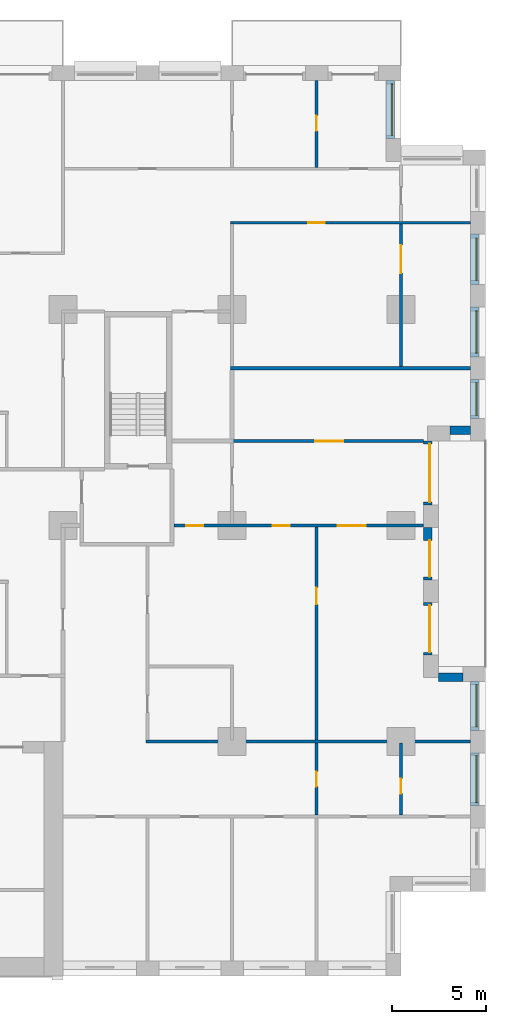
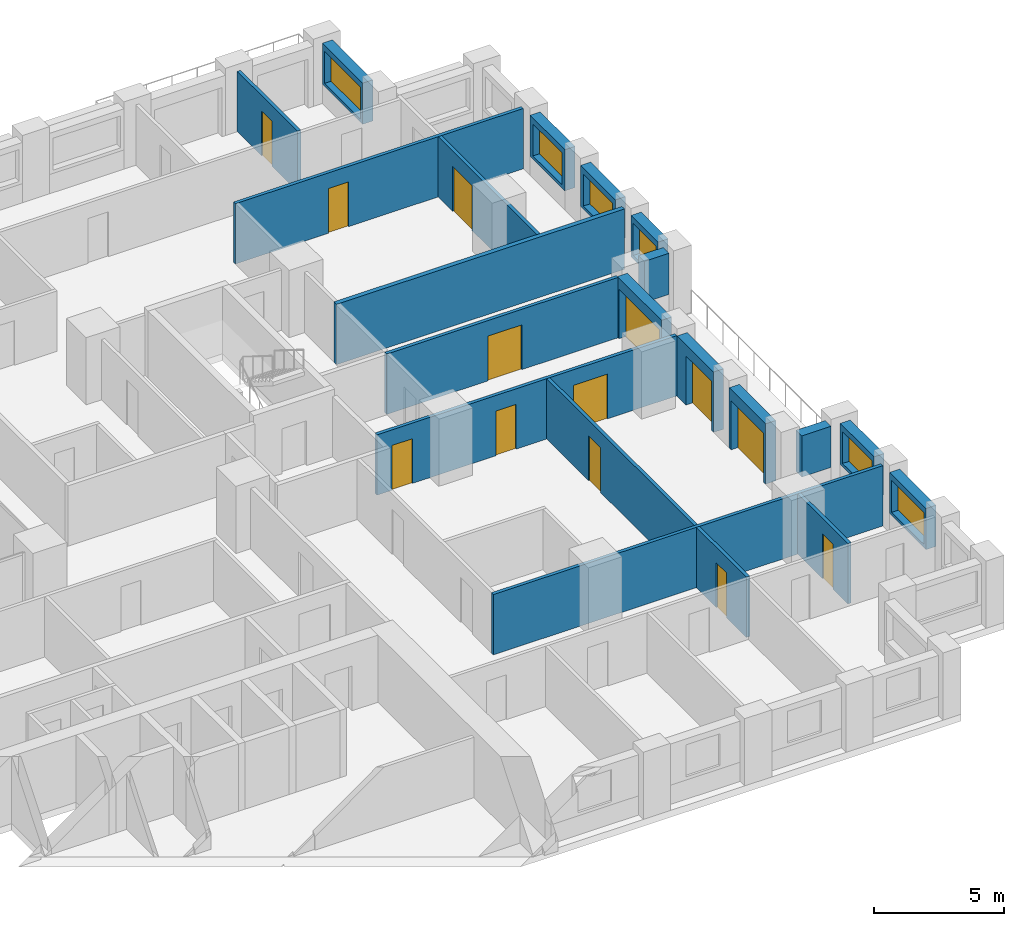
# One storey, part 16 of 19: 21 walls, 13 doors, 6 windows, 19 openings.
"""IFC4 building model written with IfcOpenShell, lengths in metres."""

import ifcopenshell
import ifcopenshell.guid

model = None  # the IFC model being written
_history = None  # IfcOwnerHistory: only IFC2X3 demands one
_inside = {}  # id of a spatial element -> (the spatial element, [elements in it])
_under = {}  # id of a project, library or spatial element -> (it, [spatial elements below it])
_declared = {}  # id of a project -> (the project, [libraries it declares])
_typed = {}  # id of a type object -> (the type object, [elements of that type])
_made_of = {}  # id of a material, layer set ... -> (it, [elements and type objects made of it])


def new_model(schema):
    """Start an empty IFC model of exactly this schema.

    Asked for "IFC4X3", IfcOpenShell would pick the latest addendum, in which some entities
    have other attributes; the version numbers below select the first issue.
    IFC2X3 requires an IfcOwnerHistory on every rooted entity: one is made here for all.
    """
    global model, _history
    if schema == "IFC4X3":
        model = ifcopenshell.file(schema_version=(4, 3, 0, 0))
    else:
        model = ifcopenshell.file(schema=schema)
    _inside.clear()
    _under.clear()
    _declared.clear()
    _typed.clear()
    _made_of.clear()
    _history = None
    if model.schema == "IFC2X3":
        org = make("IfcOrganization", Name="unknown")
        user = make(
            "IfcPersonAndOrganization",
            ThePerson=make("IfcPerson", FamilyName="unknown"),
            TheOrganization=org,
        )
        app = make(
            "IfcApplication",
            ApplicationDeveloper=org,
            Version="unknown",
            ApplicationFullName="unknown",
            ApplicationIdentifier="unknown",
        )
        _history = make(
            "IfcOwnerHistory",
            OwningUser=user,
            OwningApplication=app,
            ChangeAction="ADDED",
            CreationDate=0,
        )
    return model


def make(cls, **values):
    """One entity of the class cls with the attributes given. An attribute that is None is left unset."""
    return model.create_entity(
        cls, **{name: value for name, value in values.items() if value is not None}
    )


def rooted(cls, **values):
    """An entity with a GlobalId (a new one), such as an element, a storey or a relation."""
    return make(cls, GlobalId=ifcopenshell.guid.new(), OwnerHistory=_history, **values)


def si_unit(unit_type, name, prefix=None):
    """IfcSIUnit, for example si_unit("LENGTHUNIT", "METRE", prefix="MILLI")."""
    return make("IfcSIUnit", UnitType=unit_type, Prefix=prefix, Name=name)


def assignment(units):
    """IfcUnitAssignment: the units of a project."""
    return None if units is None else make("IfcUnitAssignment", Units=units)


def point(xyz):
    """IfcCartesianPoint."""
    return None if xyz is None else make("IfcCartesianPoint", Coordinates=xyz)


def direction(xyz):
    """IfcDirection."""
    return None if xyz is None else make("IfcDirection", DirectionRatios=xyz)


def frame(location, z_axis=None, x_axis=None):
    """IfcAxis2Placement3D, a coordinate frame: its origin and axes. An axis left out is left unset."""
    return make(
        "IfcAxis2Placement3D",
        Location=point(location),
        Axis=direction(z_axis),
        RefDirection=direction(x_axis),
    )


def frame_2d(location, x_axis=None):
    """IfcAxis2Placement2D, a coordinate frame in the plane: its origin and x axis."""
    return make(
        "IfcAxis2Placement2D", Location=point(location), RefDirection=direction(x_axis)
    )


def origin():
    """The frame at (0, 0, 0) with its axes left unset."""
    return frame((0.0, 0.0, 0.0))


def place(relative_to, where):
    """IfcLocalPlacement: puts the frame where relative to a parent placement (None: the world)."""
    return make(
        "IfcLocalPlacement", PlacementRelTo=relative_to, RelativePlacement=where
    )


def context(
    kind, dimensions, precision=None, world=None, true_north=None, identifier=None
):
    """IfcGeometricRepresentationContext, for example the 3D "Model" context."""
    return make(
        "IfcGeometricRepresentationContext",
        ContextIdentifier=identifier,
        ContextType=kind,
        CoordinateSpaceDimension=dimensions,
        Precision=precision,
        WorldCoordinateSystem=world,
        TrueNorth=true_north,
    )


def subcontext(parent, identifier, kind, view, scale=None):
    """IfcGeometricRepresentationSubContext, for example "Body" below "Model"."""
    return make(
        "IfcGeometricRepresentationSubContext",
        ContextIdentifier=identifier,
        ContextType=kind,
        ParentContext=parent,
        TargetScale=scale,
        TargetView=view,
    )


def project(units=None, contexts=None):
    """IfcProject with its units and contexts."""
    return rooted(
        "IfcProject",
        Name="project",
        RepresentationContexts=contexts,
        UnitsInContext=assignment(units),
    )


def spatial(cls, under=None, at=None, **own):
    """A site, building, storey or space (cls), placed at a placement, below another one or the project."""
    s = rooted(cls, ObjectPlacement=at, **own)
    if under is not None:
        _under.setdefault(under.id(), (under, []))[1].append(s)
    return s


def profile(cls, at=None, kind="AREA", **sizes):
    """A parametric profile (cls). Its sizes go by their IFC names, for example OverallWidth=200.0."""
    return make(cls, ProfileType=kind, Position=at, **sizes)


def rectangle(**sizes):
    """IfcRectangleProfileDef."""
    return profile("IfcRectangleProfileDef", **sizes)


def extrude(swept, where, along, depth):
    """IfcExtrudedAreaSolid: the profile swept, set in the frame where, extruded along a direction by depth."""
    return make(
        "IfcExtrudedAreaSolid",
        SweptArea=swept,
        Position=where,
        ExtrudedDirection=direction(along),
        Depth=depth,
    )


def shape(context_of_items, identifier, shape_type, items):
    """IfcShapeRepresentation: the items that make up one representation, for example the "Body"."""
    return make(
        "IfcShapeRepresentation",
        ContextOfItems=context_of_items,
        RepresentationIdentifier=identifier,
        RepresentationType=shape_type,
        Items=items,
    )


def material(Name=None, Category=None):
    """IfcMaterial."""
    return make("IfcMaterial", Name=Name, Category=Category)


def layer(
    of_material, thickness, ventilated=None, Name=None, Category=None, Priority=None
):
    """IfcMaterialLayer: one layer of a wall or slab, of a material (None: an air gap)."""
    return make(
        "IfcMaterialLayer",
        Material=of_material,
        LayerThickness=thickness,
        IsVentilated=ventilated,
        Name=Name,
        Category=Category,
        Priority=Priority,
    )


def layer_set(layers, Name=None):
    """IfcMaterialLayerSet."""
    return make("IfcMaterialLayerSet", MaterialLayers=layers, LayerSetName=Name)


def made_of(thing, what):
    """Note that an element or type object is made of a material, layer set ...; save() writes the relation."""
    if what is not None:
        _made_of.setdefault(what.id(), (what, []))[1].append(thing)
    return thing


def type_object(cls, material=None, **own):
    """A type object (cls), such as IfcWallType, which elements share."""
    return made_of(rooted(cls, **own), material)


def element(
    cls,
    number,
    at=None,
    inside=None,
    cuts=None,
    type_object=None,
    material=None,
    context=None,
    identifier="Body",
    shape_type=None,
    held_by="IfcProductDefinitionShape",
    body=None,
    shapes=None,
    **own,
):
    """One element of the class cls, such as IfcWall. Its Tag is "e" and its number.

    at: its placement. inside: the storey or other place that contains it. cuts: it is an
    opening in that element (IfcRelVoidsElement). A single representation is given by context,
    identifier, shape_type and body (its items); several are given by shapes. held_by: the class
    of the entity that holds the representations. save() writes the other relations.
    """
    e = rooted(cls, Tag="e%d" % number, ObjectPlacement=at, **own)
    if body is not None:
        shapes = [shape(context, identifier, shape_type, body)]
    if shapes is not None:
        e.Representation = make(held_by, Representations=shapes)
    if inside is not None:
        _inside.setdefault(inside.id(), (inside, []))[1].append(e)
    if cuts is not None:
        rooted(
            "IfcRelVoidsElement", RelatingBuildingElement=cuts, RelatedOpeningElement=e
        )
    if type_object is not None:
        _typed.setdefault(type_object.id(), (type_object, []))[1].append(e)
    return made_of(e, material)


def fill(opening, filler):
    """IfcRelFillsElement: the door or window that sits in an opening."""
    return rooted(
        "IfcRelFillsElement",
        RelatingOpeningElement=opening,
        RelatedBuildingElement=filler,
    )


def aggregate(whole, parts):
    """IfcRelAggregates: a whole, such as a stair, and the parts it consists of."""
    return rooted("IfcRelAggregates", RelatingObject=whole, RelatedObjects=parts)


def save(model, path):
    """Write the relations noted so far, then the file.

    IfcRelAggregates (storeys below a building ...), IfcRelContainedInSpatialStructure (elements
    in a storey), IfcRelDefinesByType, IfcRelAssociatesMaterial and IfcRelDeclares: one each for
    every whole, place, type object, material and project.
    """
    for whole, parts in _under.values():
        aggregate(whole, parts)
    for where, things in _inside.values():
        rooted(
            "IfcRelContainedInSpatialStructure",
            RelatedElements=things,
            RelatingStructure=where,
        )
    for kind, things in _typed.values():
        rooted("IfcRelDefinesByType", RelatedObjects=things, RelatingType=kind)
    for what, things in _made_of.values():
        rooted("IfcRelAssociatesMaterial", RelatedObjects=things, RelatingMaterial=what)
    for by, libraries in _declared.values():
        rooted("IfcRelDeclares", RelatingContext=by, RelatedDefinitions=libraries)
    model.write(path)


model = new_model("IFC4")

# Units and contexts
model_context = context("Model", 3, precision=1e-05, world=origin(), true_north=direction((0.0, 1.0)))
body_context = subcontext(model_context, "Body", "Model", "MODEL_VIEW")
ifc_project = project(units=[si_unit("LENGTHUNIT", "METRE"), si_unit("AREAUNIT", "SQUARE_METRE"), si_unit("VOLUMEUNIT", "CUBIC_METRE"), si_unit("PLANEANGLEUNIT", "RADIAN"), si_unit("MASSUNIT", "GRAM", prefix="KILO")], contexts=[model_context])

# Site, building, storey
site_placement = place(None, origin())
site = spatial("IfcSite", under=ifc_project, at=site_placement, CompositionType="ELEMENT")
building_placement = place(site_placement, origin())
building = spatial("IfcBuilding", under=site, at=building_placement, Name="Brigalow Station Residences", CompositionType="ELEMENT")
storey_placement = place(building_placement, frame((0.0, 0.0, 35.25)))
storey = spatial("IfcBuildingStorey", under=building, at=storey_placement, Name="L09", CompositionType="ELEMENT", Elevation=35.25)

# Wall, opening, window
ifc_material_1 = material(Name="Clay brick masonry", Category="masonry")
ifc_layer_1 = layer(ifc_material_1, 0.449951171875)
ifc_layer_set_1 = layer_set([ifc_layer_1], Name="BRICK INFILL WALL 450")
wall_type_1 = type_object("IfcWallType", Name="BRICK INFILL WALL 450", PredefinedType="SOLIDWALL", material=ifc_layer_set_1)
wall_1_placement = place(storey_placement, frame((75.925048828125, 9.10009765625, 0.89990234375), z_axis=(0.0, 0.0, 1.0), x_axis=(0.0, 1.0, 0.0)))
wall_1 = element("IfcWall", 1, at=wall_1_placement, inside=storey, type_object=wall_type_1, Name="L09/ewall/W-L09-12", PredefinedType="SOLIDWALL", context=body_context, shape_type="SweptSolid", body=[
    extrude(rectangle(XDim=2.7998046875, YDim=0.449951171875, at=frame_2d((1.39990234375, 0.0))), origin(), (0.0, 0.0, 1.0), 1.93017578125),
])
opening_1_placement = place(wall_1_placement, frame((0.14990234375, 0.0, 0.14990234375)))
opening_1 = element("IfcOpeningElement", 2, at=opening_1_placement, cuts=wall_1, Name="Opening WT-5", PredefinedType="OPENING", context=body_context, shape_type="SweptSolid", body=[
    extrude(rectangle(XDim=2.5, YDim=1.5, at=frame_2d((1.25, 0.75))), frame((0.0, 0.23486328125, 0.0), z_axis=(0.0, -1.0, 0.0), x_axis=(1.0, 0.0, 0.0)), (0.0, 0.0, 1.0), 0.469970703125),
])
ifc_material_2 = material(Name="Anodised aluminium frame with double glazing", Category="aluminium")
window_type_1 = type_object("IfcWindowType", Name="WINDOW 2500x1500", PartitioningType="SINGLE_PANEL", PredefinedType="WINDOW", material=ifc_material_2)
window_1_placement = place(opening_1_placement, origin())
window_1 = element("IfcWindow", 3, at=window_1_placement, inside=storey, type_object=window_type_1, Name="L09/window/W-L09-12", OverallHeight=1.5, OverallWidth=2.5, PartitioningType="SINGLE_PANEL", PredefinedType="WINDOW", context=body_context, shape_type="SweptSolid", body=[
    extrude(rectangle(XDim=2.5, YDim=1.5, at=frame_2d((1.25, 0.75))), frame((0.0, -0.06494140625, 0.0), z_axis=(0.0, -1.0, 0.0), x_axis=(1.0, 0.0, 0.0)), (0.0, 0.0, 1.0), 0.06005859375),
])
fill(opening_1, window_1)

wall_2_placement = place(storey_placement, frame((75.925048828125, 13.10009765625, 0.89990234375), z_axis=(0.0, 0.0, 1.0), x_axis=(0.0, 1.0, 0.0)))
wall_2 = element("IfcWall", 4, at=wall_2_placement, inside=storey, type_object=wall_type_1, Name="L09/ewall/W-L09-13", PredefinedType="SOLIDWALL", context=body_context, shape_type="SweptSolid", body=[
    extrude(rectangle(XDim=2.599853515625, YDim=0.449951171875, at=frame_2d((1.2998046875, 0.0))), origin(), (0.0, 0.0, 1.0), 1.93017578125),
])
opening_2_placement = place(wall_2_placement, frame((0.175048828125, 0.0, 0.14990234375)))
opening_2 = element("IfcOpeningElement", 5, at=opening_2_placement, cuts=wall_2, Name="Opening WT-6", PredefinedType="OPENING", context=body_context, shape_type="SweptSolid", body=[
    extrude(rectangle(XDim=2.25, YDim=1.5, at=frame_2d((1.125, 0.75))), frame((0.0, 0.23486328125, 0.0), z_axis=(0.0, -1.0, 0.0), x_axis=(1.0, 0.0, 0.0)), (0.0, 0.0, 1.0), 0.469970703125),
])
ifc_material_3 = material(Name="Anodised aluminium frame with double glazing", Category="aluminium")
window_type_2 = type_object("IfcWindowType", Name="WINDOW 2250x1500", PartitioningType="SINGLE_PANEL", PredefinedType="WINDOW", material=ifc_material_3)
window_2_placement = place(opening_2_placement, origin())
window_2 = element("IfcWindow", 6, at=window_2_placement, inside=storey, type_object=window_type_2, Name="L09/window/W-L09-13", OverallHeight=1.5, OverallWidth=2.25, PartitioningType="SINGLE_PANEL", PredefinedType="WINDOW", context=body_context, shape_type="SweptSolid", body=[
    extrude(rectangle(XDim=2.25, YDim=1.5, at=frame_2d((1.125, 0.75))), frame((0.0, -0.06494140625, 0.0), z_axis=(0.0, -1.0, 0.0), x_axis=(1.0, 0.0, 0.0)), (0.0, 0.0, 1.0), 0.06005859375),
])
fill(opening_2, window_2)

# Wall
wall_3_placement = place(storey_placement, frame((75.300048828125, 15.925048828125, 0.89990234375), z_axis=(0.0, 0.0, 1.0), x_axis=(-1.0, 0.0, 0.0)))
element("IfcWall", 7, at=wall_3_placement, inside=storey, type_object=wall_type_1, Name="L09/ewall/W-L09-14", PredefinedType="SOLIDWALL", context=body_context, shape_type="SweptSolid", body=[
    extrude(rectangle(XDim=1.300048828125, YDim=0.449951171875, at=frame_2d((0.64990234375, 0.0))), origin(), (0.0, 0.0, 1.0), 1.93017578125),
])

# Wall, opening, door
wall_4_placement = place(storey_placement, frame((73.425048828125, 17.10009765625, 0.0), z_axis=(0.0, 0.0, 1.0), x_axis=(0.0, 1.0, 0.0)))
wall_4 = element("IfcWall", 8, at=wall_4_placement, inside=storey, type_object=wall_type_1, Name="L09/ewall/W-L09-15", PredefinedType="SOLIDWALL", context=body_context, shape_type="SweptSolid", body=[
    extrude(rectangle(XDim=2.7998046875, YDim=0.449951171875, at=frame_2d((1.39990234375, 0.0))), origin(), (0.0, 0.0, 1.0), 2.830078125),
])
opening_3_placement = place(wall_4_placement, frame((0.14990234375, 0.0, 0.0)))
opening_3 = element("IfcOpeningElement", 9, at=opening_3_placement, cuts=wall_4, Name="Opening D-B2500", PredefinedType="OPENING", context=body_context, shape_type="SweptSolid", body=[
    extrude(rectangle(XDim=2.5, YDim=2.300048828125, at=frame_2d((1.25, 1.14990234375))), frame((0.0, 0.23486328125, 0.0), z_axis=(0.0, -1.0, 0.0), x_axis=(1.0, 0.0, 0.0)), (0.0, 0.0, 1.0), 0.469970703125),
])
ifc_material_4 = material(Name="Anodised aluminium frame with double glazing", Category="aluminium")
door_type_1 = type_object("IfcDoorType", Name="BALCONY SLIDING DOOR 2500x2300", OperationType="SLIDING_TO_LEFT", PredefinedType="DOOR", material=ifc_material_4)
door_1_placement = place(opening_3_placement, origin())
door_1 = element("IfcDoor", 10, at=door_1_placement, inside=storey, type_object=door_type_1, Name="L09/balcony-door/W-L09-15", OperationType="SLIDING_TO_LEFT", OverallHeight=2.300048828125, OverallWidth=2.5, PredefinedType="DOOR", context=body_context, shape_type="SweptSolid", body=[
    extrude(rectangle(XDim=2.5, YDim=2.300048828125, at=frame_2d((1.25, 1.14990234375))), frame((0.0, -0.06982421875, 0.0), z_axis=(0.0, -1.0, 0.0), x_axis=(1.0, 0.0, 0.0)), (0.0, 0.0, 1.0), 0.050048828125),
])
fill(opening_3, door_1)

wall_5_placement = place(storey_placement, frame((73.425048828125, 21.10009765625, 0.0), z_axis=(0.0, 0.0, 1.0), x_axis=(0.0, 1.0, 0.0)))
wall_5 = element("IfcWall", 11, at=wall_5_placement, inside=storey, type_object=wall_type_1, Name="L09/ewall/W-L09-16", PredefinedType="SOLIDWALL", context=body_context, shape_type="SweptSolid", body=[
    extrude(rectangle(XDim=2.7998046875, YDim=0.449951171875, at=frame_2d((1.39990234375, 0.0))), origin(), (0.0, 0.0, 1.0), 2.830078125),
])
opening_4_placement = place(wall_5_placement, frame((0.1650390625, 0.0, 0.0)))
opening_4 = element("IfcOpeningElement", 12, at=opening_4_placement, cuts=wall_5, Name="Opening D-B1950", PredefinedType="OPENING", context=body_context, shape_type="SweptSolid", body=[
    extrude(rectangle(XDim=1.949951171875, YDim=2.300048828125, at=frame_2d((0.97509765625, 1.14990234375))), frame((0.0, 0.23486328125, 0.0), z_axis=(0.0, -1.0, 0.0), x_axis=(1.0, 0.0, 0.0)), (0.0, 0.0, 1.0), 0.469970703125),
])
ifc_material_5 = material(Name="Anodised aluminium frame with double glazing", Category="aluminium")
door_type_2 = type_object("IfcDoorType", Name="BALCONY SLIDING DOOR 1950x2300", OperationType="SLIDING_TO_LEFT", PredefinedType="DOOR", material=ifc_material_5)
door_2_placement = place(opening_4_placement, origin())
door_2 = element("IfcDoor", 13, at=door_2_placement, inside=storey, type_object=door_type_2, Name="L09/balcony-door/W-L09-16", OperationType="SLIDING_TO_LEFT", OverallHeight=2.300048828125, OverallWidth=1.949951171875, PredefinedType="DOOR", context=body_context, shape_type="SweptSolid", body=[
    extrude(rectangle(XDim=1.949951171875, YDim=2.300048828125, at=frame_2d((0.97509765625, 1.14990234375))), frame((0.0, -0.06982421875, 0.0), z_axis=(0.0, -1.0, 0.0), x_axis=(1.0, 0.0, 0.0)), (0.0, 0.0, 1.0), 0.050048828125),
])
fill(opening_4, door_2)

wall_6_placement = place(storey_placement, frame((73.425048828125, 25.10009765625, 0.0), z_axis=(0.0, 0.0, 1.0), x_axis=(0.0, 1.0, 0.0)))
wall_6 = element("IfcWall", 14, at=wall_6_placement, inside=storey, type_object=wall_type_1, Name="L09/ewall/W-L09-17", PredefinedType="SOLIDWALL", context=body_context, shape_type="SweptSolid", body=[
    extrude(rectangle(XDim=3.39990234375, YDim=0.449951171875, at=frame_2d((1.699951171875, 0.0))), origin(), (0.0, 0.0, 1.0), 2.830078125),
])
opening_5_placement = place(wall_6_placement, frame((0.14990234375, 0.0, 0.0)))
opening_5 = element("IfcOpeningElement", 15, at=opening_5_placement, cuts=wall_6, Name="Opening D-B3100", PredefinedType="OPENING", context=body_context, shape_type="SweptSolid", body=[
    extrude(rectangle(XDim=3.10009765625, YDim=2.300048828125, at=frame_2d((1.550048828125, 1.14990234375))), frame((0.0, 0.23486328125, 0.0), z_axis=(0.0, -1.0, 0.0), x_axis=(1.0, 0.0, 0.0)), (0.0, 0.0, 1.0), 0.469970703125),
])
ifc_material_6 = material(Name="Anodised aluminium frame with double glazing", Category="aluminium")
door_type_3 = type_object("IfcDoorType", Name="BALCONY SLIDING DOOR 3100x2300", OperationType="SLIDING_TO_LEFT", PredefinedType="DOOR", material=ifc_material_6)
door_3_placement = place(opening_5_placement, origin())
door_3 = element("IfcDoor", 16, at=door_3_placement, inside=storey, type_object=door_type_3, Name="L09/balcony-door/W-L09-17", OperationType="SLIDING_TO_LEFT", OverallHeight=2.300048828125, OverallWidth=3.10009765625, PredefinedType="DOOR", context=body_context, shape_type="SweptSolid", body=[
    extrude(rectangle(XDim=3.10009765625, YDim=2.300048828125, at=frame_2d((1.550048828125, 1.14990234375))), frame((0.0, -0.06982421875, 0.0), z_axis=(0.0, -1.0, 0.0), x_axis=(1.0, 0.0, 0.0)), (0.0, 0.0, 1.0), 0.050048828125),
])
fill(opening_5, door_3)

# Wall
wall_7_placement = place(storey_placement, frame((74.60009765625, 29.074951171875, 0.89990234375), z_axis=(0.0, 0.0, 1.0), x_axis=(1.0, 0.0, 0.0)))
element("IfcWall", 17, at=wall_7_placement, inside=storey, type_object=wall_type_1, Name="L09/ewall/W-L09-18", PredefinedType="SOLIDWALL", context=body_context, shape_type="SweptSolid", body=[
    extrude(rectangle(XDim=1.099853515625, YDim=0.449951171875, at=frame_2d((0.5498046875, 0.0))), origin(), (0.0, 0.0, 1.0), 1.93017578125),
])

# Wall, opening, window
wall_8_placement = place(storey_placement, frame((75.925048828125, 29.699951171875, 0.89990234375), z_axis=(0.0, 0.0, 1.0), x_axis=(0.0, 1.0, 0.0)))
wall_8 = element("IfcWall", 18, at=wall_8_placement, inside=storey, type_object=wall_type_1, Name="L09/ewall/W-L09-19", PredefinedType="SOLIDWALL", context=body_context, shape_type="SweptSolid", body=[
    extrude(rectangle(XDim=2.074951171875, YDim=0.449951171875, at=frame_2d((1.03759765625, 0.0))), origin(), (0.0, 0.0, 1.0), 1.93017578125),
])
opening_6_placement = place(wall_8_placement, frame((0.16259765625, 0.0, 0.14990234375)))
opening_6 = element("IfcOpeningElement", 19, at=opening_6_placement, cuts=wall_8, Name="Opening WT-4", PredefinedType="OPENING", context=body_context, shape_type="SweptSolid", body=[
    extrude(rectangle(XDim=1.75, YDim=1.5, at=frame_2d((0.875, 0.75))), frame((0.0, 0.23486328125, 0.0), z_axis=(0.0, -1.0, 0.0), x_axis=(1.0, 0.0, 0.0)), (0.0, 0.0, 1.0), 0.469970703125),
])
ifc_material_7 = material(Name="Anodised aluminium frame with double glazing", Category="aluminium")
window_type_3 = type_object("IfcWindowType", Name="WINDOW 1750x1500", PartitioningType="SINGLE_PANEL", PredefinedType="WINDOW", material=ifc_material_7)
window_3_placement = place(opening_6_placement, origin())
window_3 = element("IfcWindow", 20, at=window_3_placement, inside=storey, type_object=window_type_3, Name="L09/window/W-L09-19", OverallHeight=1.5, OverallWidth=1.75, PartitioningType="SINGLE_PANEL", PredefinedType="WINDOW", context=body_context, shape_type="SweptSolid", body=[
    extrude(rectangle(XDim=1.75, YDim=1.5, at=frame_2d((0.875, 0.75))), frame((0.0, -0.06494140625, 0.0), z_axis=(0.0, -1.0, 0.0), x_axis=(1.0, 0.0, 0.0)), (0.0, 0.0, 1.0), 0.06005859375),
])
fill(opening_6, window_3)

wall_9_placement = place(storey_placement, frame((75.925048828125, 32.97509765625, 0.89990234375), z_axis=(0.0, 0.0, 1.0), x_axis=(0.0, 1.0, 0.0)))
wall_9 = element("IfcWall", 21, at=wall_9_placement, inside=storey, type_object=wall_type_1, Name="L09/ewall/W-L09-20", PredefinedType="SOLIDWALL", context=body_context, shape_type="SweptSolid", body=[
    extrude(rectangle(XDim=2.6748046875, YDim=0.449951171875, at=frame_2d((1.33740234375, 0.0))), origin(), (0.0, 0.0, 1.0), 1.93017578125),
])
opening_7_placement = place(wall_9_placement, frame((0.21240234375, 0.0, 0.14990234375)))
opening_7 = element("IfcOpeningElement", 22, at=opening_7_placement, cuts=wall_9, Name="Opening WT-6", PredefinedType="OPENING", context=body_context, shape_type="SweptSolid", body=[
    extrude(rectangle(XDim=2.25, YDim=1.5, at=frame_2d((1.125, 0.75))), frame((0.0, 0.23486328125, 0.0), z_axis=(0.0, -1.0, 0.0), x_axis=(1.0, 0.0, 0.0)), (0.0, 0.0, 1.0), 0.469970703125),
])
window_4_placement = place(opening_7_placement, origin())
window_4 = element("IfcWindow", 23, at=window_4_placement, inside=storey, type_object=window_type_2, Name="L09/window/W-L09-20", OverallHeight=1.5, OverallWidth=2.25, PartitioningType="SINGLE_PANEL", PredefinedType="WINDOW", context=body_context, shape_type="SweptSolid", body=[
    extrude(rectangle(XDim=2.25, YDim=1.5, at=frame_2d((1.125, 0.75))), frame((0.0, -0.06494140625, 0.0), z_axis=(0.0, -1.0, 0.0), x_axis=(1.0, 0.0, 0.0)), (0.0, 0.0, 1.0), 0.06005859375),
])
fill(opening_7, window_4)

wall_10_placement = place(storey_placement, frame((75.925048828125, 36.85009765625, 0.89990234375), z_axis=(0.0, 0.0, 1.0), x_axis=(0.0, 1.0, 0.0)))
wall_10 = element("IfcWall", 24, at=wall_10_placement, inside=storey, type_object=wall_type_1, Name="L09/ewall/W-L09-21", PredefinedType="SOLIDWALL", context=body_context, shape_type="SweptSolid", body=[
    extrude(rectangle(XDim=2.6748046875, YDim=0.449951171875, at=frame_2d((1.33740234375, 0.0))), origin(), (0.0, 0.0, 1.0), 1.93017578125),
])
opening_8_placement = place(wall_10_placement, frame((0.21240234375, 0.0, 0.14990234375)))
opening_8 = element("IfcOpeningElement", 25, at=opening_8_placement, cuts=wall_10, Name="Opening WT-6", PredefinedType="OPENING", context=body_context, shape_type="SweptSolid", body=[
    extrude(rectangle(XDim=2.25, YDim=1.5, at=frame_2d((1.125, 0.75))), frame((0.0, 0.23486328125, 0.0), z_axis=(0.0, -1.0, 0.0), x_axis=(1.0, 0.0, 0.0)), (0.0, 0.0, 1.0), 0.469970703125),
])
window_5_placement = place(opening_8_placement, origin())
window_5 = element("IfcWindow", 26, at=window_5_placement, inside=storey, type_object=window_type_2, Name="L09/window/W-L09-21", OverallHeight=1.5, OverallWidth=2.25, PartitioningType="SINGLE_PANEL", PredefinedType="WINDOW", context=body_context, shape_type="SweptSolid", body=[
    extrude(rectangle(XDim=2.25, YDim=1.5, at=frame_2d((1.125, 0.75))), frame((0.0, -0.06494140625, 0.0), z_axis=(0.0, -1.0, 0.0), x_axis=(1.0, 0.0, 0.0)), (0.0, 0.0, 1.0), 0.06005859375),
])
fill(opening_8, window_5)

wall_11_placement = place(storey_placement, frame((71.425048828125, 44.60009765625, 0.89990234375), z_axis=(0.0, 0.0, 1.0), x_axis=(0.0, 1.0, 0.0)))
wall_11 = element("IfcWall", 27, at=wall_11_placement, inside=storey, type_object=wall_type_1, Name="L09/ewall/W-L09-24", PredefinedType="SOLIDWALL", context=body_context, shape_type="SweptSolid", body=[
    extrude(rectangle(XDim=3.099853515625, YDim=0.449951171875, at=frame_2d((1.5498046875, 0.0))), origin(), (0.0, 0.0, 1.0), 1.93017578125),
])
opening_9_placement = place(wall_11_placement, frame((0.175048828125, 0.0, 0.14990234375)))
opening_9 = element("IfcOpeningElement", 28, at=opening_9_placement, cuts=wall_11, Name="Opening WT-3", PredefinedType="OPENING", context=body_context, shape_type="SweptSolid", body=[
    extrude(rectangle(XDim=2.75, YDim=1.5, at=frame_2d((1.375, 0.75))), frame((0.0, 0.23486328125, 0.0), z_axis=(0.0, -1.0, 0.0), x_axis=(1.0, 0.0, 0.0)), (0.0, 0.0, 1.0), 0.469970703125),
])
ifc_material_8 = material(Name="Anodised aluminium frame with double glazing", Category="aluminium")
window_type_4 = type_object("IfcWindowType", Name="WINDOW 2750x1500", PartitioningType="SINGLE_PANEL", PredefinedType="WINDOW", material=ifc_material_8)
window_6_placement = place(opening_9_placement, origin())
window_6 = element("IfcWindow", 29, at=window_6_placement, inside=storey, type_object=window_type_4, Name="L09/window/W-L09-24", OverallHeight=1.5, OverallWidth=2.75, PartitioningType="SINGLE_PANEL", PredefinedType="WINDOW", context=body_context, shape_type="SweptSolid", body=[
    extrude(rectangle(XDim=2.75, YDim=1.5, at=frame_2d((1.375, 0.75))), frame((0.0, -0.06494140625, 0.0), z_axis=(0.0, -1.0, 0.0), x_axis=(1.0, 0.0, 0.0)), (0.0, 0.0, 1.0), 0.06005859375),
])
fill(opening_9, window_6)

# Wall, openings, doors
ifc_material_9 = material(Name="Plasterboard on steel stud partition", Category="steel")
ifc_layer_2 = layer(ifc_material_9, 0.14990234375)
ifc_layer_set_2 = layer_set([ifc_layer_2], Name="FLAT PARTITION 150")
wall_type_2 = type_object("IfcWallType", Name="FLAT PARTITION 150", PredefinedType="PARTITIONING", material=ifc_layer_set_2)
wall_12_placement = place(storey_placement, frame((59.89990234375, 24.0, 0.0), z_axis=(0.0, 0.0, 1.0), x_axis=(1.0, 0.0, 0.0)))
wall_12 = element("IfcWall", 30, at=wall_12_placement, inside=storey, type_object=wall_type_2, Name="PW-1B03", PredefinedType="PARTITIONING", context=body_context, shape_type="SweptSolid", body=[
    extrude(rectangle(XDim=13.300048828125, YDim=0.14990234375, at=frame_2d((6.64990234375, 0.0))), origin(), (0.0, 0.0, 1.0), 2.830078125),
])
opening_10_placement = place(wall_12_placement, frame((5.27490234375, 0.0, 0.0)))
opening_10 = element("IfcOpeningElement", 31, at=opening_10_placement, cuts=wall_12, Name="Opening D-1B59", PredefinedType="OPENING", context=body_context, shape_type="SweptSolid", body=[
    extrude(rectangle(XDim=0.89990234375, YDim=2.10009765625, at=frame_2d((0.449951171875, 1.050048828125))), frame((0.0, 0.0849609375, 0.0), z_axis=(0.0, -1.0, 0.0), x_axis=(1.0, 0.0, 0.0)), (0.0, 0.0, 1.0), 0.169921875),
])
opening_11_placement = place(wall_12_placement, frame((8.72509765625, 0.0, 0.0)))
opening_11 = element("IfcOpeningElement", 32, at=opening_11_placement, cuts=wall_12, Name="Opening D-1B60", PredefinedType="OPENING", context=body_context, shape_type="SweptSolid", body=[
    extrude(rectangle(XDim=1.5, YDim=2.10009765625, at=frame_2d((0.75, 1.050048828125))), frame((0.0, 0.0849609375, 0.0), z_axis=(0.0, -1.0, 0.0), x_axis=(1.0, 0.0, 0.0)), (0.0, 0.0, 1.0), 0.169921875),
])
opening_12_placement = place(wall_12_placement, frame((0.675048828125, 0.0, 0.0)))
opening_12 = element("IfcOpeningElement", 33, at=opening_12_placement, cuts=wall_12, Name="Opening D-1B67", PredefinedType="OPENING", context=body_context, shape_type="SweptSolid", body=[
    extrude(rectangle(XDim=0.89990234375, YDim=2.10009765625, at=frame_2d((0.449951171875, 1.050048828125))), frame((0.0, 0.0849609375, 0.0), z_axis=(0.0, -1.0, 0.0), x_axis=(1.0, 0.0, 0.0)), (0.0, 0.0, 1.0), 0.169921875),
])
ifc_material_10 = material(Name="Solid-core timber door leaf", Category="wood")
door_type_4 = type_object("IfcDoorType", Name="INTERNAL DOOR 900 x 2100", OperationType="SINGLE_SWING_LEFT", PredefinedType="DOOR", material=ifc_material_10)
door_4_placement = place(opening_10_placement, origin())
door_4 = element("IfcDoor", 34, at=door_4_placement, inside=storey, type_object=door_type_4, Name="D-1B59", OperationType="SINGLE_SWING_LEFT", OverallHeight=2.10009765625, OverallWidth=0.89990234375, PredefinedType="DOOR", context=body_context, shape_type="SweptSolid", body=[
    extrude(rectangle(XDim=0.89990234375, YDim=2.10009765625, at=frame_2d((0.449951171875, 1.050048828125))), frame((0.0, 0.02490234375, 0.0), z_axis=(0.0, -1.0, 0.0), x_axis=(1.0, 0.0, 0.0)), (0.0, 0.0, 1.0), 0.050048828125),
])
fill(opening_10, door_4)
door_5_placement = place(opening_12_placement, origin())
door_5 = element("IfcDoor", 35, at=door_5_placement, inside=storey, type_object=door_type_4, Name="D-1B67", OperationType="SINGLE_SWING_LEFT", OverallHeight=2.10009765625, OverallWidth=0.89990234375, PredefinedType="DOOR", context=body_context, shape_type="SweptSolid", body=[
    extrude(rectangle(XDim=0.89990234375, YDim=2.10009765625, at=frame_2d((0.449951171875, 1.050048828125))), frame((0.0, 0.02490234375, 0.0), z_axis=(0.0, -1.0, 0.0), x_axis=(1.0, 0.0, 0.0)), (0.0, 0.0, 1.0), 0.050048828125),
])
fill(opening_12, door_5)
ifc_material_11 = material(Name="Solid-core timber door leaf", Category="wood")
door_type_5 = type_object("IfcDoorType", Name="INTERNAL DOUBLE DOOR 1500 x 2100", OperationType="DOUBLE_DOOR_SINGLE_SWING", PredefinedType="DOOR", material=ifc_material_11)
door_6_placement = place(opening_11_placement, origin())
door_6 = element("IfcDoor", 36, at=door_6_placement, inside=storey, type_object=door_type_5, Name="D-1B60", OperationType="DOUBLE_DOOR_SINGLE_SWING", OverallHeight=2.10009765625, OverallWidth=1.5, PredefinedType="DOOR", context=body_context, shape_type="SweptSolid", body=[
    extrude(rectangle(XDim=1.5, YDim=2.10009765625, at=frame_2d((0.75, 1.050048828125))), frame((0.0, 0.02490234375, 0.0), z_axis=(0.0, -1.0, 0.0), x_axis=(1.0, 0.0, 0.0)), (0.0, 0.0, 1.0), 0.050048828125),
])
fill(opening_11, door_6)

# Wall
wall_13_placement = place(storey_placement, frame((58.425048828125, 12.5, 0.0), z_axis=(0.0, 0.0, 1.0), x_axis=(1.0, 0.0, 0.0)))
element("IfcWall", 37, at=wall_13_placement, inside=storey, type_object=wall_type_2, Name="PW-1B11", PredefinedType="PARTITIONING", context=body_context, shape_type="SweptSolid", body=[
    extrude(rectangle(XDim=17.27490234375, YDim=0.14990234375, at=frame_2d((8.637451171875, 0.0))), origin(), (0.0, 0.0, 1.0), 2.830078125),
])

# Wall, opening, door
wall_14_placement = place(storey_placement, frame((62.925048828125, 28.5, 0.0), z_axis=(0.0, 0.0, 1.0), x_axis=(1.0, 0.0, 0.0)))
wall_14 = element("IfcWall", 38, at=wall_14_placement, inside=storey, type_object=wall_type_2, Name="PW-1B20", PredefinedType="PARTITIONING", context=body_context, shape_type="SweptSolid", body=[
    extrude(rectangle(XDim=10.27490234375, YDim=0.14990234375, at=frame_2d((5.137451171875, 0.0))), origin(), (0.0, 0.0, 1.0), 2.830078125),
])
opening_13_placement = place(wall_14_placement, frame((4.5, 0.0, 0.0)))
opening_13 = element("IfcOpeningElement", 39, at=opening_13_placement, cuts=wall_14, Name="Opening D-1B58", PredefinedType="OPENING", context=body_context, shape_type="SweptSolid", body=[
    extrude(rectangle(XDim=1.5, YDim=2.10009765625, at=frame_2d((0.75, 1.050048828125))), frame((0.0, 0.0849609375, 0.0), z_axis=(0.0, -1.0, 0.0), x_axis=(1.0, 0.0, 0.0)), (0.0, 0.0, 1.0), 0.169921875),
])
door_7_placement = place(opening_13_placement, frame((1.5, 0.0, 0.0), z_axis=(0.0, 0.0, 1.0), x_axis=(-1.0, 0.0, 0.0)))
door_7 = element("IfcDoor", 40, at=door_7_placement, inside=storey, type_object=door_type_5, Name="D-1B58", OperationType="DOUBLE_DOOR_SINGLE_SWING", OverallHeight=2.10009765625, OverallWidth=1.5, PredefinedType="DOOR", context=body_context, shape_type="SweptSolid", body=[
    extrude(rectangle(XDim=1.5, YDim=2.10009765625, at=frame_2d((0.75, 1.050048828125))), frame((0.0, 0.02490234375, 0.0), z_axis=(0.0, -1.0, 0.0), x_axis=(1.0, 0.0, 0.0)), (0.0, 0.0, 1.0), 0.050048828125),
])
fill(opening_13, door_7)

wall_15_placement = place(storey_placement, frame((62.925048828125, 40.125, 0.0), z_axis=(0.0, 0.0, 1.0), x_axis=(1.0, 0.0, 0.0)))
wall_15 = element("IfcWall", 41, at=wall_15_placement, inside=storey, type_object=wall_type_2, Name="PW-1B31", PredefinedType="PARTITIONING", context=body_context, shape_type="SweptSolid", body=[
    extrude(rectangle(XDim=12.77490234375, YDim=0.14990234375, at=frame_2d((6.387451171875, 0.0))), origin(), (0.0, 0.0, 1.0), 2.830078125),
])
opening_14_placement = place(wall_15_placement, frame((4.125, 0.0, 0.0)))
opening_14 = element("IfcOpeningElement", 42, at=opening_14_placement, cuts=wall_15, Name="Opening D-1B45", PredefinedType="OPENING", context=body_context, shape_type="SweptSolid", body=[
    extrude(rectangle(XDim=0.89990234375, YDim=2.10009765625, at=frame_2d((0.449951171875, 1.050048828125))), frame((0.0, 0.0849609375, 0.0), z_axis=(0.0, -1.0, 0.0), x_axis=(1.0, 0.0, 0.0)), (0.0, 0.0, 1.0), 0.169921875),
])
door_8_placement = place(opening_14_placement, frame((0.89990234375, 0.0, 0.0), z_axis=(0.0, 0.0, 1.0), x_axis=(-1.0, 0.0, 0.0)))
door_8 = element("IfcDoor", 43, at=door_8_placement, inside=storey, type_object=door_type_4, Name="D-1B45", OperationType="SINGLE_SWING_RIGHT", OverallHeight=2.10009765625, OverallWidth=0.89990234375, PredefinedType="DOOR", context=body_context, shape_type="SweptSolid", body=[
    extrude(rectangle(XDim=0.89990234375, YDim=2.10009765625, at=frame_2d((0.449951171875, 1.050048828125))), frame((0.0, 0.02490234375, 0.0), z_axis=(0.0, -1.0, 0.0), x_axis=(1.0, 0.0, 0.0)), (0.0, 0.0, 1.0), 0.050048828125),
])
fill(opening_14, door_8)

wall_16_placement = place(storey_placement, frame((72.0, 8.574951171875, 0.0), z_axis=(0.0, 0.0, 1.0), x_axis=(0.0, 1.0, 0.0)))
wall_16 = element("IfcWall", 44, at=wall_16_placement, inside=storey, type_object=wall_type_2, Name="PW-1B74", PredefinedType="PARTITIONING", context=body_context, shape_type="SweptSolid", body=[
    extrude(rectangle(XDim=3.85009765625, YDim=0.14990234375, at=frame_2d((1.925048828125, 0.0))), origin(), (0.0, 0.0, 1.0), 2.830078125),
])
opening_15_placement = place(wall_16_placement, frame((1.14990234375, 0.0, 0.0)))
opening_15 = element("IfcOpeningElement", 45, at=opening_15_placement, cuts=wall_16, Name="Opening D-1B63", PredefinedType="OPENING", context=body_context, shape_type="SweptSolid", body=[
    extrude(rectangle(XDim=0.800048828125, YDim=2.10009765625, at=frame_2d((0.39990234375, 1.050048828125))), frame((0.0, 0.0849609375, 0.0), z_axis=(0.0, -1.0, 0.0), x_axis=(1.0, 0.0, 0.0)), (0.0, 0.0, 1.0), 0.169921875),
])
ifc_material_12 = material(Name="Solid-core timber door leaf", Category="wood")
door_type_6 = type_object("IfcDoorType", Name="INTERNAL DOOR 800 x 2100", OperationType="SINGLE_SWING_LEFT", PredefinedType="DOOR", material=ifc_material_12)
door_9_placement = place(opening_15_placement, frame((0.800048828125, 0.0, 0.0), z_axis=(0.0, 0.0, 1.0), x_axis=(-1.0, 0.0, 0.0)))
door_9 = element("IfcDoor", 46, at=door_9_placement, inside=storey, type_object=door_type_6, Name="D-1B63", OperationType="SINGLE_SWING_RIGHT", OverallHeight=2.10009765625, OverallWidth=0.800048828125, PredefinedType="DOOR", context=body_context, shape_type="SweptSolid", body=[
    extrude(rectangle(XDim=0.800048828125, YDim=2.10009765625, at=frame_2d((0.39990234375, 1.050048828125))), frame((0.0, 0.02490234375, 0.0), z_axis=(0.0, -1.0, 0.0), x_axis=(1.0, 0.0, 0.0)), (0.0, 0.0, 1.0), 0.050048828125),
])
fill(opening_15, door_9)

wall_17_placement = place(storey_placement, frame((72.0, 32.47509765625, 0.0), z_axis=(0.0, 0.0, 1.0), x_axis=(0.0, 1.0, 0.0)))
wall_17 = element("IfcWall", 47, at=wall_17_placement, inside=storey, type_object=wall_type_2, Name="PW-1B75", PredefinedType="PARTITIONING", context=body_context, shape_type="SweptSolid", body=[
    extrude(rectangle(XDim=7.574951171875, YDim=0.14990234375, at=frame_2d((3.78759765625, 0.0))), origin(), (0.0, 0.0, 1.0), 2.830078125),
])
opening_16_placement = place(wall_17_placement, frame((4.962890625, 0.0, 0.0)))
opening_16 = element("IfcOpeningElement", 48, at=opening_16_placement, cuts=wall_17, Name="Opening D-1B52", PredefinedType="OPENING", context=body_context, shape_type="SweptSolid", body=[
    extrude(rectangle(XDim=1.5, YDim=2.10009765625, at=frame_2d((0.75, 1.050048828125))), frame((0.0, 0.0849609375, 0.0), z_axis=(0.0, -1.0, 0.0), x_axis=(1.0, 0.0, 0.0)), (0.0, 0.0, 1.0), 0.169921875),
])
door_10_placement = place(opening_16_placement, frame((1.5, 0.0, 0.0), z_axis=(0.0, 0.0, 1.0), x_axis=(-1.0, 0.0, 0.0)))
door_10 = element("IfcDoor", 49, at=door_10_placement, inside=storey, type_object=door_type_5, Name="D-1B52", OperationType="DOUBLE_DOOR_SINGLE_SWING", OverallHeight=2.10009765625, OverallWidth=1.5, PredefinedType="DOOR", context=body_context, shape_type="SweptSolid", body=[
    extrude(rectangle(XDim=1.5, YDim=2.10009765625, at=frame_2d((0.75, 1.050048828125))), frame((0.0, 0.02490234375, 0.0), z_axis=(0.0, -1.0, 0.0), x_axis=(1.0, 0.0, 0.0)), (0.0, 0.0, 1.0), 0.050048828125),
])
fill(opening_16, door_10)

wall_18_placement = place(storey_placement, frame((67.5, 8.574951171875, 0.0), z_axis=(0.0, 0.0, 1.0), x_axis=(0.0, 1.0, 0.0)))
wall_18 = element("IfcWall", 50, at=wall_18_placement, inside=storey, type_object=wall_type_2, Name="PW-1B79", PredefinedType="PARTITIONING", context=body_context, shape_type="SweptSolid", body=[
    extrude(rectangle(XDim=3.85009765625, YDim=0.14990234375, at=frame_2d((1.925048828125, 0.0))), origin(), (0.0, 0.0, 1.0), 2.830078125),
])
opening_17_placement = place(wall_18_placement, frame((1.52490234375, 0.0, 0.0)))
opening_17 = element("IfcOpeningElement", 51, at=opening_17_placement, cuts=wall_18, Name="Opening D-1B65", PredefinedType="OPENING", context=body_context, shape_type="SweptSolid", body=[
    extrude(rectangle(XDim=0.800048828125, YDim=2.10009765625, at=frame_2d((0.39990234375, 1.050048828125))), frame((0.0, 0.0849609375, 0.0), z_axis=(0.0, -1.0, 0.0), x_axis=(1.0, 0.0, 0.0)), (0.0, 0.0, 1.0), 0.169921875),
])
door_11_placement = place(opening_17_placement, frame((0.800048828125, 0.0, 0.0), z_axis=(0.0, 0.0, 1.0), x_axis=(-1.0, 0.0, 0.0)))
door_11 = element("IfcDoor", 52, at=door_11_placement, inside=storey, type_object=door_type_6, Name="D-1B65", OperationType="SINGLE_SWING_RIGHT", OverallHeight=2.10009765625, OverallWidth=0.800048828125, PredefinedType="DOOR", context=body_context, shape_type="SweptSolid", body=[
    extrude(rectangle(XDim=0.800048828125, YDim=2.10009765625, at=frame_2d((0.39990234375, 1.050048828125))), frame((0.0, 0.02490234375, 0.0), z_axis=(0.0, -1.0, 0.0), x_axis=(1.0, 0.0, 0.0)), (0.0, 0.0, 1.0), 0.050048828125),
])
fill(opening_17, door_11)

wall_19_placement = place(storey_placement, frame((67.5, 12.574951171875, 0.0), z_axis=(0.0, 0.0, 1.0), x_axis=(0.0, 1.0, 0.0)))
wall_19 = element("IfcWall", 53, at=wall_19_placement, inside=storey, type_object=wall_type_2, Name="PW-1B80", PredefinedType="PARTITIONING", context=body_context, shape_type="SweptSolid", body=[
    extrude(rectangle(XDim=11.35009765625, YDim=0.14990234375, at=frame_2d((5.675048828125, 0.0))), origin(), (0.0, 0.0, 1.0), 2.830078125),
])
opening_18_placement = place(wall_19_placement, frame((7.22509765625, 0.0, 0.0)))
opening_18 = element("IfcOpeningElement", 54, at=opening_18_placement, cuts=wall_19, Name="Opening D-1B66", PredefinedType="OPENING", context=body_context, shape_type="SweptSolid", body=[
    extrude(rectangle(XDim=0.89990234375, YDim=2.10009765625, at=frame_2d((0.449951171875, 1.050048828125))), frame((0.0, 0.0849609375, 0.0), z_axis=(0.0, -1.0, 0.0), x_axis=(1.0, 0.0, 0.0)), (0.0, 0.0, 1.0), 0.169921875),
])
door_12_placement = place(opening_18_placement, frame((0.89990234375, 0.0, 0.0), z_axis=(0.0, 0.0, 1.0), x_axis=(-1.0, 0.0, 0.0)))
door_12 = element("IfcDoor", 55, at=door_12_placement, inside=storey, type_object=door_type_4, Name="D-1B66", OperationType="SINGLE_SWING_LEFT", OverallHeight=2.10009765625, OverallWidth=0.89990234375, PredefinedType="DOOR", context=body_context, shape_type="SweptSolid", body=[
    extrude(rectangle(XDim=0.89990234375, YDim=2.10009765625, at=frame_2d((0.449951171875, 1.050048828125))), frame((0.0, 0.02490234375, 0.0), z_axis=(0.0, -1.0, 0.0), x_axis=(1.0, 0.0, 0.0)), (0.0, 0.0, 1.0), 0.050048828125),
])
fill(opening_18, door_12)

wall_20_placement = place(storey_placement, frame((67.5, 43.074951171875, 0.0), z_axis=(0.0, 0.0, 1.0), x_axis=(0.0, 1.0, 0.0)))
wall_20 = element("IfcWall", 56, at=wall_20_placement, inside=storey, type_object=wall_type_2, Name="PW-1B81", PredefinedType="PARTITIONING", context=body_context, shape_type="SweptSolid", body=[
    extrude(rectangle(XDim=4.625, YDim=0.14990234375, at=frame_2d((2.3125, 0.0))), origin(), (0.0, 0.0, 1.0), 2.830078125),
])
opening_19_placement = place(wall_20_placement, frame((1.949951171875, 0.0, 0.0)))
opening_19 = element("IfcOpeningElement", 57, at=opening_19_placement, cuts=wall_20, Name="Opening D-1B37", PredefinedType="OPENING", context=body_context, shape_type="SweptSolid", body=[
    extrude(rectangle(XDim=0.800048828125, YDim=2.10009765625, at=frame_2d((0.39990234375, 1.050048828125))), frame((0.0, 0.0849609375, 0.0), z_axis=(0.0, -1.0, 0.0), x_axis=(1.0, 0.0, 0.0)), (0.0, 0.0, 1.0), 0.169921875),
])
door_13_placement = place(opening_19_placement, origin())
door_13 = element("IfcDoor", 58, at=door_13_placement, inside=storey, type_object=door_type_6, Name="D-1B37", OperationType="SINGLE_SWING_RIGHT", OverallHeight=2.10009765625, OverallWidth=0.800048828125, PredefinedType="DOOR", context=body_context, shape_type="SweptSolid", body=[
    extrude(rectangle(XDim=0.800048828125, YDim=2.10009765625, at=frame_2d((0.39990234375, 1.050048828125))), frame((0.0, 0.02490234375, 0.0), z_axis=(0.0, -1.0, 0.0), x_axis=(1.0, 0.0, 0.0)), (0.0, 0.0, 1.0), 0.050048828125),
])
fill(opening_19, door_13)

# Wall
ifc_material_13 = material(Name="Plasterboard on steel stud partition", Category="steel")
ifc_layer_3 = layer(ifc_material_13, 0.199951171875)
ifc_layer_set_3 = layer_set([ifc_layer_3], Name="PARTY AND CORRIDOR WALL 200")
wall_type_3 = type_object("IfcWallType", Name="PARTY AND CORRIDOR WALL 200", PredefinedType="PARTITIONING", material=ifc_layer_set_3)
wall_21_placement = place(storey_placement, frame((62.925048828125, 32.375, 0.0), z_axis=(0.0, 0.0, 1.0), x_axis=(1.0, 0.0, 0.0)))
element("IfcWall", 59, at=wall_21_placement, inside=storey, type_object=wall_type_3, Name="PW-1B18", PredefinedType="PARTITIONING", context=body_context, shape_type="SweptSolid", body=[
    extrude(rectangle(XDim=12.77490234375, YDim=0.199951171875, at=frame_2d((6.387451171875, 0.0))), origin(), (0.0, 0.0, 1.0), 2.830078125),
])

save(model, "model.ifc")
